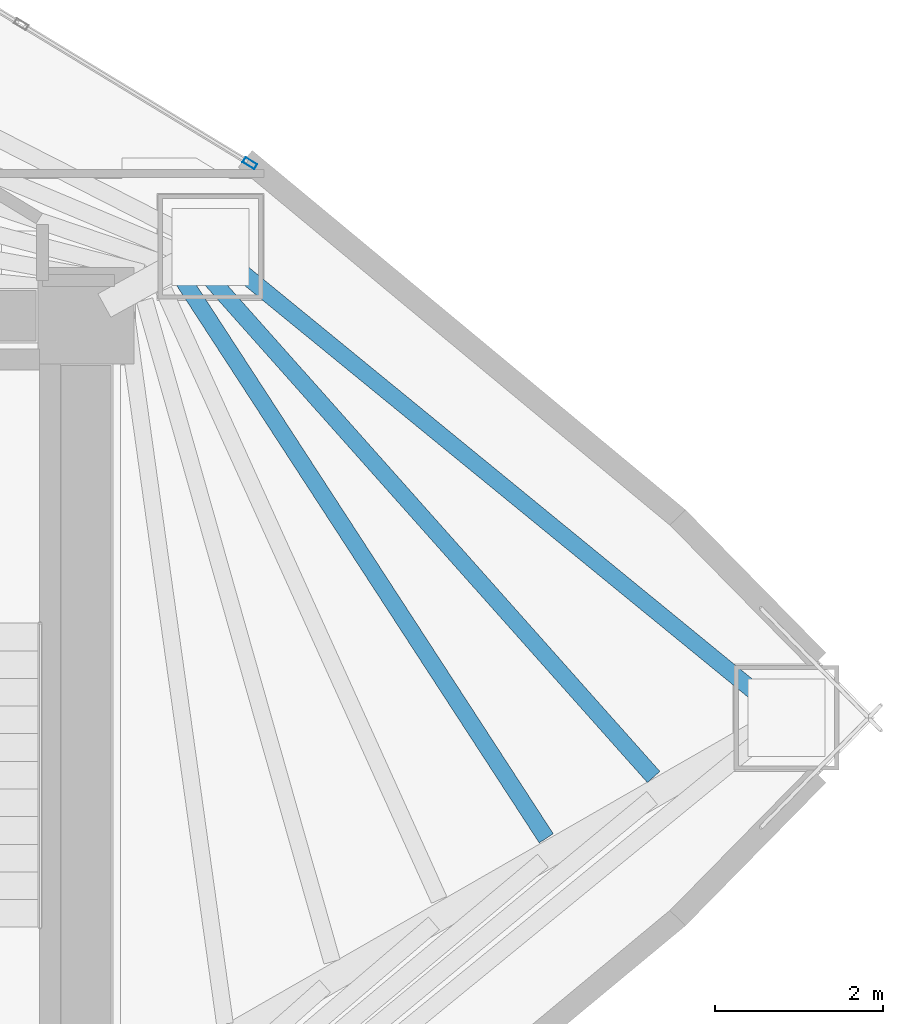
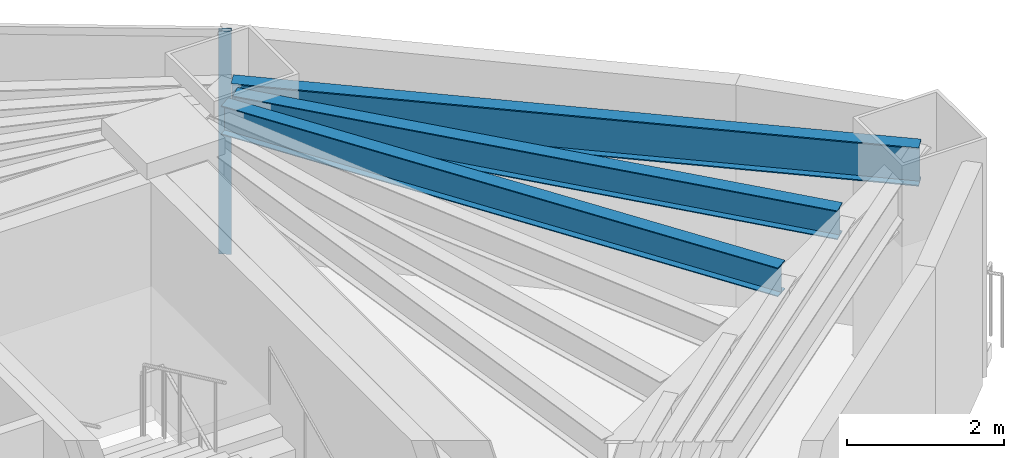
# One storey, part 10 of 16: 3 beams, 1 member, 1 element without a shape of its own.
"""IFC4 building model written with IfcOpenShell, lengths in metres."""

from ifc_helpers import new_model, si_unit, direction, frame, origin, origin_2d, place, context, subcontext, project, spatial, hollow_rectangle, i_section, extrude, material, layer, layer_set, material_profile, profile_set, type_object, element, aggregate, save


model = new_model("IFC4")

# Units and contexts
model_context = context("Model", 3, precision=1e-05, world=origin(), true_north=direction((0.0, 1.0)))
body_context = subcontext(model_context, "Body", "Model", "MODEL_VIEW")
ifc_project = project(units=[si_unit("LENGTHUNIT", "METRE"), si_unit("AREAUNIT", "SQUARE_METRE"), si_unit("VOLUMEUNIT", "CUBIC_METRE"), si_unit("PLANEANGLEUNIT", "RADIAN"), si_unit("MASSUNIT", "GRAM", prefix="KILO")], contexts=[model_context])

# Site, building, storey
site_placement = place(None, origin())
site = spatial("IfcSite", under=ifc_project, at=site_placement, CompositionType="ELEMENT")
building_placement = place(site_placement, origin())
building = spatial("IfcBuilding", under=site, at=building_placement, Name="Menara Vayukalpa", CompositionType="ELEMENT")
storey_placement = place(building_placement, frame((0.0, 0.0, 72.239990234375)))
storey = spatial("IfcBuildingStorey", under=building, at=storey_placement, Name="L17", CompositionType="ELEMENT", Elevation=72.239990234375)

# Beams
ifc_material_1 = material(Name="Steel S355", Category="steel")
ifc_material_profile_1 = material_profile(ifc_material_1, i_section(OverallWidth=0.199951171875, OverallDepth=0.449951171875, WebThickness=0.009033203125, FlangeThickness=0.013916015625, at=origin_2d()), Name="WF 450x200x9x14")
ifc_profile_set_1 = profile_set([ifc_material_profile_1], Name="Steel S355")
beam_type_1 = type_object("IfcBeamType", Name="BM-SJ1", PredefinedType="JOIST", material=ifc_profile_set_1)
beam_1_placement = place(storey_placement, frame((38.894287109375, 20.561279296875, 3.2451171875), z_axis=(-0.545357035492, 0.838203855777, 0.0), x_axis=(-0.838203855777, -0.545357035492, 0.0)))
element("IfcBeam", 1, at=beam_1_placement, inside=storey, type_object=beam_type_1, Name="L17 Secondary Floor Joist SJ01-4", PredefinedType="JOIST", context=body_context, shape_type="SweptSolid", body=[
    extrude(i_section(OverallWidth=0.199951171875, OverallDepth=0.449951171875, WebThickness=0.009033203125, FlangeThickness=0.013916015625, at=origin_2d()), origin(), (0.0, 0.0, 1.0), 7.959228515625),
])
beam_2_placement = place(storey_placement, frame((40.176025390625, 21.29296875, 3.2451171875), z_axis=(-0.664626886511, 0.747175415633, 0.0), x_axis=(-0.747175415633, -0.664626886511, 0.0)))
element("IfcBeam", 2, at=beam_2_placement, inside=storey, type_object=beam_type_1, Name="L17 Secondary Floor Joist SJ01-5", PredefinedType="JOIST", context=body_context, shape_type="SweptSolid", body=[
    extrude(i_section(OverallWidth=0.199951171875, OverallDepth=0.449951171875, WebThickness=0.009033203125, FlangeThickness=0.013916015625, at=origin_2d()), origin(), (0.0, 0.0, 1.0), 8.121337890625),
])
ifc_material_2 = material(Name="Steel S355", Category="steel")
ifc_material_profile_2 = material_profile(ifc_material_2, i_section(OverallWidth=0.199951171875, OverallDepth=0.60009765625, WebThickness=0.010986328125, FlangeThickness=0.01708984375, at=origin_2d()), Name="WF 600x200x11x17")
ifc_profile_set_2 = profile_set([ifc_material_profile_2], Name="Steel S355")
beam_type_2 = type_object("IfcBeamType", Name="BM-SP1", PredefinedType="SPANDREL", material=ifc_profile_set_2)
beam_3_placement = place(storey_placement, frame((41.761962890625, 22.0, 3.169921875), z_axis=(-0.774156906301, 0.632993747541, 0.0), x_axis=(-0.632993747541, -0.774156906301, 0.0)))
element("IfcBeam", 3, at=beam_3_placement, inside=storey, type_object=beam_type_2, Name="L17 Perimeter Spandrel Beam SP01", PredefinedType="SPANDREL", context=body_context, shape_type="SweptSolid", body=[
    extrude(i_section(OverallWidth=0.199951171875, OverallDepth=0.60009765625, WebThickness=0.010986328125, FlangeThickness=0.01708984375, at=origin_2d()), origin(), (0.0, 0.0, 1.0), 8.880859375),
])

# Curtain wall, member
ifc_material_3 = material(Name="Anodised Terracotta Aluminium Alloy 6063-T6", Category="masonry")
ifc_layer = layer(ifc_material_3, 0.1650390625)
ifc_layer_set = layer_set([ifc_layer], Name="Anodised Terracotta Aluminium Alloy 6063-T6")
curtain_wall_type = type_object("IfcCurtainWallType", Name="CW-CW2", PredefinedType="USERDEFINED", material=ifc_layer_set)
curtain_wall_placement = place(storey_placement, origin())
curtain_wall = element("IfcCurtainWall", 4, at=curtain_wall_placement, inside=storey, type_object=curtain_wall_type, Name="L17 Low Rise Terracotta Ribbon Curtain Wall CW2 04", ObjectType="UNITISED", PredefinedType="USERDEFINED")
ifc_material_4 = material(Name="Anodised Terracotta Aluminium Alloy 6063-T6", Category="masonry")
ifc_material_profile_3 = material_profile(ifc_material_4, hollow_rectangle(XDim=0.070068359375, YDim=0.1650390625, WallThickness=0.00390625, at=origin_2d()), Name="ALU 70x165x4")
ifc_profile_set_3 = profile_set([ifc_material_profile_3], Name="Anodised Terracotta Aluminium Alloy 6063-T6")
member_type = type_object("IfcMemberType", Name="CWM-CW2", PredefinedType="MULLION", material=ifc_profile_set_3)
member_placement = place(storey_placement, frame((35.356201171875, 28.6201171875, 0.0), z_axis=(0.0, 0.0, 1.0), x_axis=(-0.519182959112, -0.854663123674, 0.0)))
member = element("IfcMember", 5, at=member_placement, type_object=member_type, Name="CW2 mullion 1", PredefinedType="MULLION", context=body_context, shape_type="SweptSolid", body=[
    extrude(hollow_rectangle(XDim=0.070068359375, YDim=0.1650390625, WallThickness=0.00390625, at=origin_2d()), origin(), (0.0, 0.0, 1.0), 3.469970703125),
])
aggregate(curtain_wall, [member])

save(model, "model.ifc")
